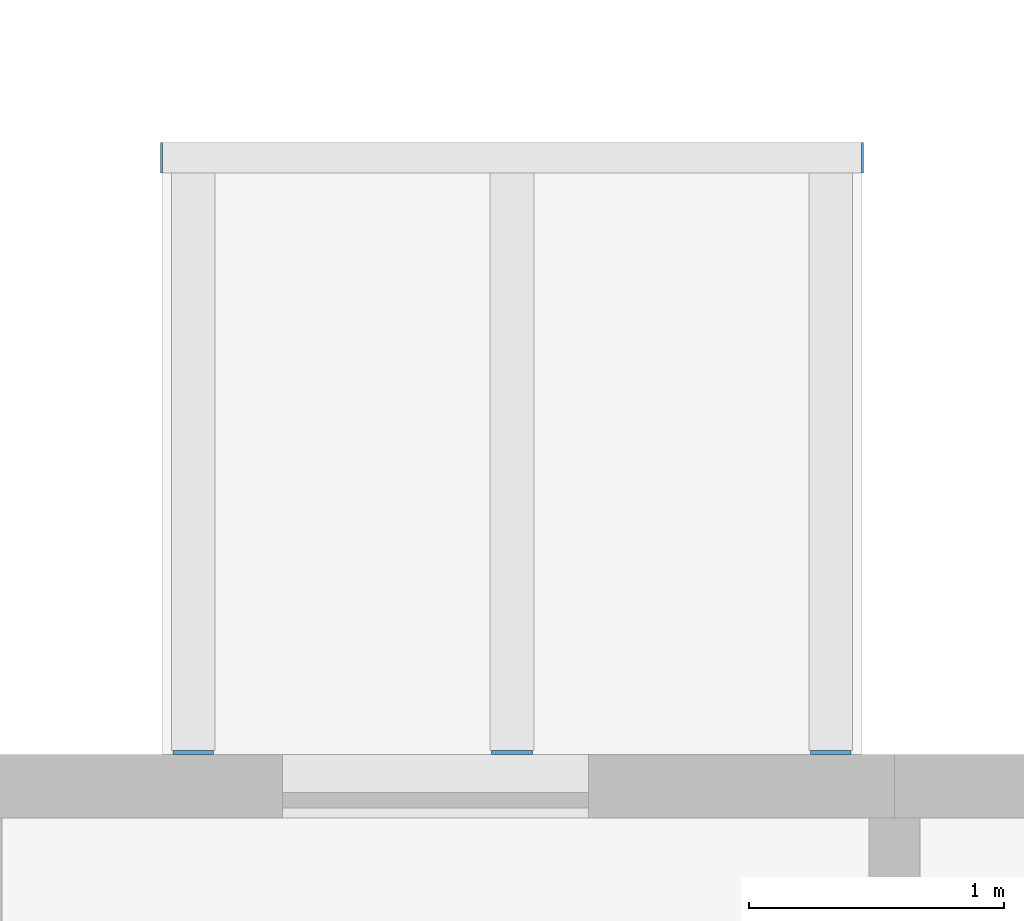
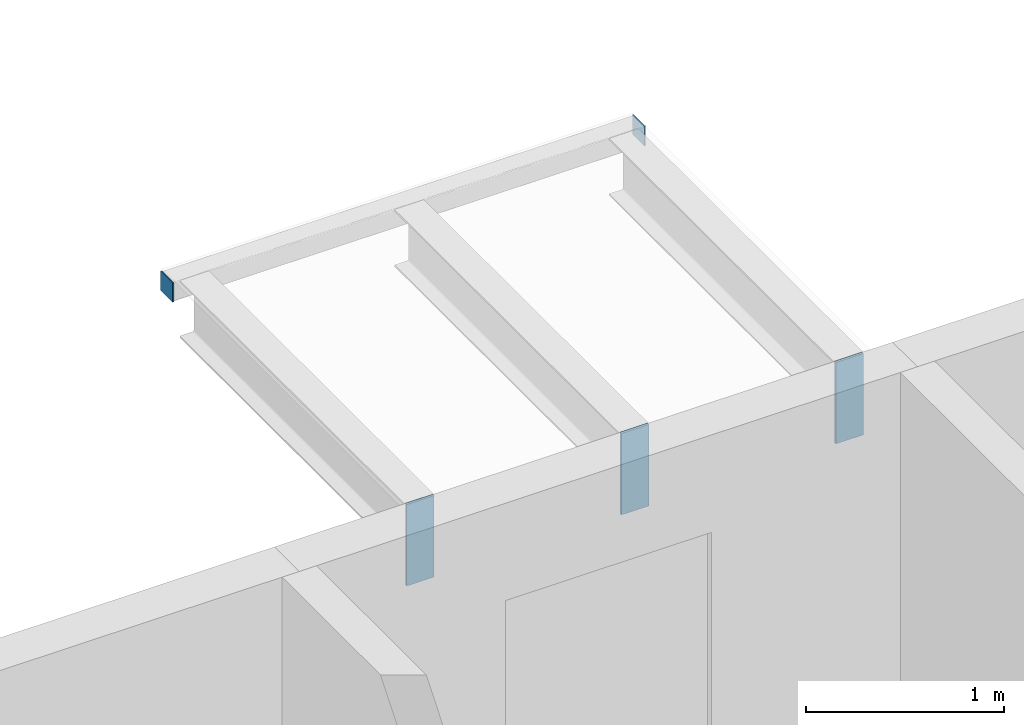
# One storey, part 57 of 78: 5 discrete accessories.
"""IFC4 building model written with IfcOpenShell, lengths in metres."""

from ifc_helpers import new_model, si_unit, direction, frame, origin, origin_2d, place, context, subcontext, project, spatial, rectangle, extrude, material, layer, layer_set, type_object, element, save


model = new_model("IFC4")

# Units and contexts
model_context = context("Model", 3, precision=1e-05, world=origin(), true_north=direction((0.0, 1.0)))
body_context = subcontext(model_context, "Body", "Model", "MODEL_VIEW")
ifc_project = project(units=[si_unit("LENGTHUNIT", "METRE"), si_unit("AREAUNIT", "SQUARE_METRE"), si_unit("VOLUMEUNIT", "CUBIC_METRE"), si_unit("PLANEANGLEUNIT", "RADIAN"), si_unit("MASSUNIT", "GRAM", prefix="KILO")], contexts=[model_context])

# Site, building, storey
site_placement = place(None, origin())
site = spatial("IfcSite", under=ifc_project, at=site_placement, CompositionType="ELEMENT")
building_placement = place(site_placement, origin())
building = spatial("IfcBuilding", under=site, at=building_placement, Name="Ridgestep Commons", CompositionType="ELEMENT")
storey_placement = place(building_placement, frame((0.0, 0.0, 30.0)))
storey = spatial("IfcBuildingStorey", under=building, at=storey_placement, Name="L10", CompositionType="ELEMENT", Elevation=30.0)

# Discrete accessories
ifc_material_1 = material(Name="Weathering steel S355J2W", Category="steel")
ifc_layer_1 = layer(ifc_material_1, 0.014892578125)
ifc_layer_set_1 = layer_set([ifc_layer_1], Name="Tray bracket plate 15")
discrete_accessory_type_1 = type_object("IfcDiscreteAccessoryType", Name="Tray bracket plate 15", PredefinedType="BRACKET", material=ifc_layer_set_1)
for number, where, z_axis, x_axis, name in (
    (1, (56.050048828125, 23.007568359375, 2.488525390625), (0.0, 0.0, 1.0), (1.0, 0.0, 0.0), "Tray bracket A3T2-11.1"),
    (2, (57.300048828125, 23.007568359375, 2.488525390625), (0.0, 0.0, 1.0), (1.0, 0.0, 0.0), "Tray bracket A3T2-11.2"),
    (3, (58.550048828125, 23.007568359375, 2.488525390625), (0.0, 0.0, 1.0), (1.0, 0.0, 0.0), "Tray bracket A3T2-11.3"),
):
    element("IfcDiscreteAccessory", number, at=place(storey_placement, frame(where, z_axis=z_axis, x_axis=x_axis)), inside=storey, type_object=discrete_accessory_type_1, Name=name, PredefinedType="BRACKET", context=body_context, shape_type="SweptSolid", body=[
        extrude(rectangle(XDim=0.159912109375, YDim=0.014892578125, at=origin_2d()), origin(), (0.0, 0.0, 1.0), 0.50146484375),
    ])
ifc_material_2 = material(Name="Weathering steel S355J2W", Category="steel")
ifc_layer_2 = layer(ifc_material_2, 0.008056640625)
ifc_layer_set_2 = layer_set([ifc_layer_2], Name="Tray edge member end plate 120 x 120 x 8")
discrete_accessory_type_2 = type_object("IfcDiscreteAccessoryType", Name="Tray edge member end plate 120 x 120 x 8", PredefinedType="BRACKET", material=ifc_layer_set_2)
for number, where, z_axis, x_axis, name in (
    (4, (55.926025390625, 25.340087890625, 2.869873046875), (0.0, 0.0, 1.0), (1.0, 0.0, 0.0), "Tray edge member end plate A3T2-11 west"),
    (5, (58.674072265625, 25.340087890625, 2.869873046875), (0.0, 0.0, 1.0), (1.0, 0.0, 0.0), "Tray edge member end plate A3T2-11 east"),
):
    element("IfcDiscreteAccessory", number, at=place(storey_placement, frame(where, z_axis=z_axis, x_axis=x_axis)), inside=storey, type_object=discrete_accessory_type_2, Name=name, PredefinedType="BRACKET", context=body_context, shape_type="SweptSolid", body=[
        extrude(rectangle(XDim=0.008056640625, YDim=0.1201171875, at=origin_2d()), origin(), (0.0, 0.0, 1.0), 0.1201171875),
    ])

save(model, "model.ifc")
